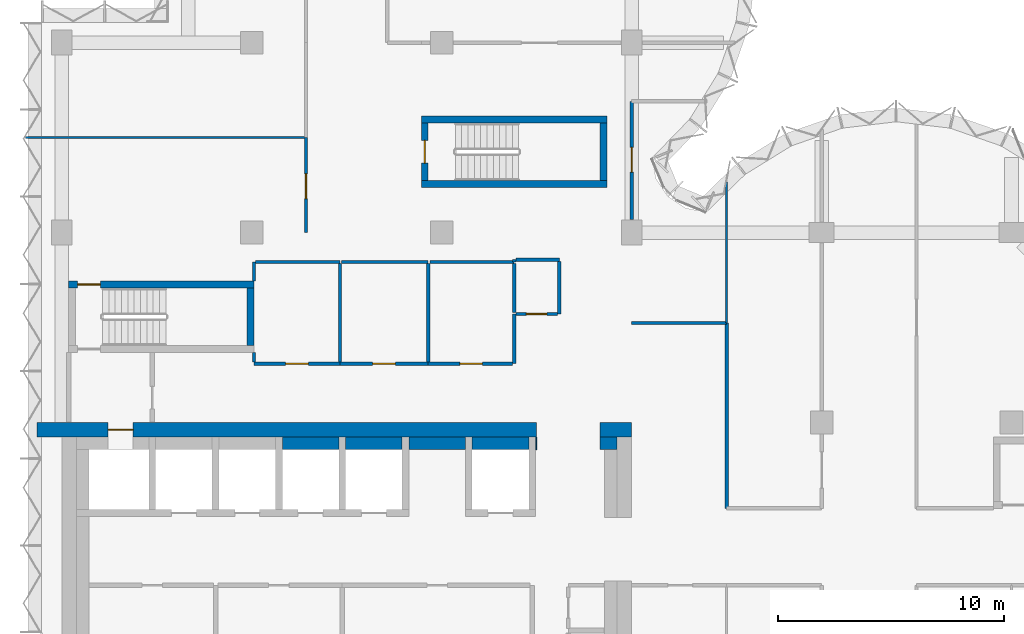
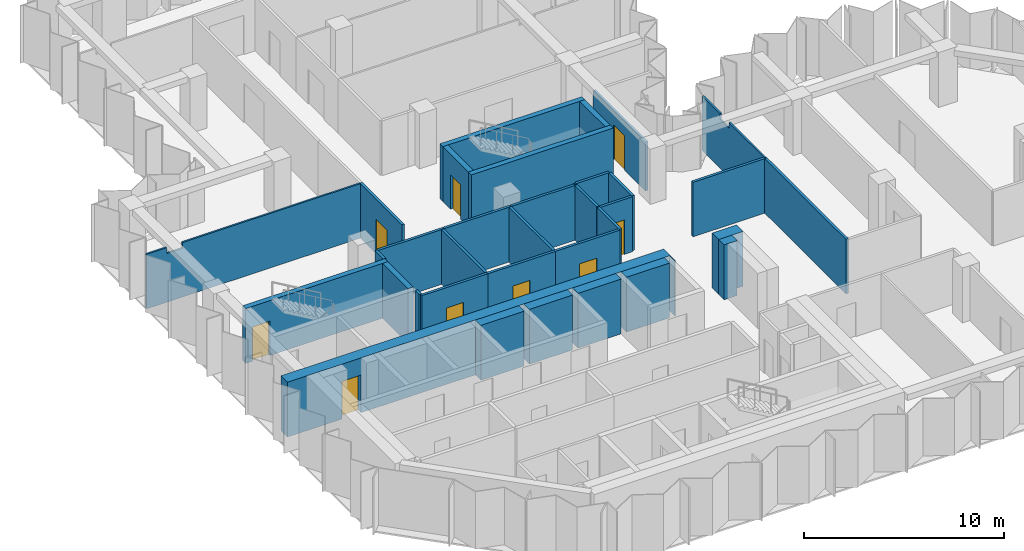
# One storey, part 6 of 10: 36 walls, 9 doors, 9 openings.
"""IFC4 building model written with IfcOpenShell, lengths in metres."""

from ifc_helpers import new_model, si_unit, direction, frame, frame_2d, origin, place, context, subcontext, project, spatial, polyline, rectangle, outline, extrude, material, layer, layer_set, type_object, element, fill, save


model = new_model("IFC4")

# Units and contexts
model_context = context("Model", 3, precision=1e-05, world=origin(), true_north=direction((0.0, 1.0)))
body_context = subcontext(model_context, "Body", "Model", "MODEL_VIEW")
ifc_project = project(units=[si_unit("LENGTHUNIT", "METRE"), si_unit("AREAUNIT", "SQUARE_METRE"), si_unit("VOLUMEUNIT", "CUBIC_METRE"), si_unit("PLANEANGLEUNIT", "RADIAN"), si_unit("MASSUNIT", "GRAM", prefix="KILO")], contexts=[model_context])

# Site, building, storey
site_placement = place(None, origin())
site = spatial("IfcSite", under=ifc_project, at=site_placement, CompositionType="ELEMENT")
building_placement = place(site_placement, origin())
building = spatial("IfcBuilding", under=site, at=building_placement, Name="Brevane Broadcast Tower", CompositionType="ELEMENT")
storey_placement = place(building_placement, frame((0.0, 0.0, 199.199951171875)))
storey = spatial("IfcBuildingStorey", under=building, at=storey_placement, Name="L50", CompositionType="ELEMENT", Elevation=199.199951171875)

# Walls
ifc_material_1 = material(Name="Concrete C32/40", Category="concrete")
ifc_layer_1 = layer(ifc_material_1, 0.550048828125)
ifc_layer_set_1 = layer_set([ifc_layer_1], Name="Core chase wall 550 mm")
wall_type_1 = type_object("IfcWallType", Name="Core chase wall 550 mm", PredefinedType="PARTITIONING", material=ifc_layer_set_1)
wall_1_placement = place(storey_placement, frame((23.800048828125, 15.875, 0.0), z_axis=(0.0, 0.0, 1.0), x_axis=(1.0, 0.0, 0.0)))
element("IfcWall", 1, at=wall_1_placement, inside=storey, type_object=wall_type_1, Name="L50 chase wall LN2", PredefinedType="PARTITIONING", context=body_context, shape_type="SweptSolid", body=[
    extrude(rectangle(XDim=0.75, YDim=0.550048828125, at=frame_2d((0.375, 0.0))), origin(), (0.0, 0.0, 1.0), 3.35009765625),
])
for number, where, z_axis, x_axis, name in (
    (2, (9.75, 15.875, 0.0), (0.0, 0.0, 1.0), (1.0, 0.0, 0.0), "L50 chase wall LN1-2-2-2-1"),
    (3, (12.550048828125, 15.875, 0.0), (0.0, 0.0, 1.0), (1.0, 0.0, 0.0), "L50 chase wall LN1-2-2-2-2-1"),
    (4, (15.35009765625, 15.875, 0.0), (0.0, 0.0, 1.0), (1.0, 0.0, 0.0), "L50 chase wall LN1-2-2-2-2-2-1"),
    (5, (18.14990234375, 15.875, 0.0), (0.0, 0.0, 1.0), (1.0, 0.0, 0.0), "L50 chase wall LN1-2-2-2-2-2-2-1"),
):
    element("IfcWall", number, at=place(storey_placement, frame(where, z_axis=z_axis, x_axis=x_axis)), inside=storey, type_object=wall_type_1, Name=name, PredefinedType="PARTITIONING", context=body_context, shape_type="SweptSolid", body=[
        extrude(rectangle(XDim=2.5, YDim=0.550048828125, at=frame_2d((1.25, 0.0))), origin(), (0.0, 0.0, 1.0), 3.35009765625),
    ])
wall_2_placement = place(storey_placement, frame((20.949951171875, 15.875, 0.0), z_axis=(0.0, 0.0, 1.0), x_axis=(1.0, 0.0, 0.0)))
element("IfcWall", 6, at=wall_2_placement, inside=storey, type_object=wall_type_1, Name="L50 chase wall LN1-2-2-2-2-2-2-2", PredefinedType="PARTITIONING", context=body_context, shape_type="SweptSolid", body=[
    extrude(rectangle(XDim=0.050048828125, YDim=0.550048828125, at=frame_2d((0.02490234375, 0.0))), origin(), (0.0, 0.0, 1.0), 3.35009765625),
])

# Wall, opening, door
ifc_material_2 = material(Name="Gypsum board on steel studs", Category="steel")
ifc_layer_2 = layer(ifc_material_2, 0.14990234375)
ifc_layer_set_2 = layer_set([ifc_layer_2], Name="Core fire partition 150 mm")
wall_type_2 = type_object("IfcWallType", Name="Core fire partition 150 mm", PredefinedType="PARTITIONING", material=ifc_layer_set_2)
wall_3_placement = place(storey_placement, frame((12.300048828125, 19.39990234375, 0.0), z_axis=(0.0, 0.0, 1.0), x_axis=(-1.0, 0.0, 0.0)))
wall_3 = element("IfcWall", 7, at=wall_3_placement, inside=storey, type_object=wall_type_2, Name="L50 partition wall P22", PredefinedType="PARTITIONING", context=body_context, shape_type="SweptSolid", body=[
    extrude(rectangle(XDim=3.800048828125, YDim=0.14990234375, at=frame_2d((1.89990234375, 0.0))), origin(), (0.0, 0.0, 1.0), 3.35009765625),
])
opening_1_placement = place(wall_3_placement, frame((1.39990234375, 0.0, 0.0)))
opening_1 = element("IfcOpeningElement", 8, at=opening_1_placement, cuts=wall_3, Name="Opening L50-K24", PredefinedType="OPENING", context=body_context, shape_type="SweptSolid", body=[
    extrude(rectangle(XDim=1.0, YDim=2.10009765625, at=frame_2d((0.5, 1.050048828125))), frame((0.0, 0.0849609375, 0.0), z_axis=(0.0, -1.0, 0.0), x_axis=(1.0, 0.0, 0.0)), (0.0, 0.0, 1.0), 0.169921875),
])
ifc_material_3 = material(Name="Steel", Category="steel")
door_type_1 = type_object("IfcDoorType", Name="Service room door 1000 x 2100", OperationType="SINGLE_SWING_LEFT", PredefinedType="DOOR", material=ifc_material_3)
door_1_placement = place(opening_1_placement, origin())
door_1 = element("IfcDoor", 9, at=door_1_placement, inside=storey, type_object=door_type_1, Name="Door L50-K24", OperationType="SINGLE_SWING_LEFT", OverallHeight=2.10009765625, OverallWidth=1.0, PredefinedType="DOOR", context=body_context, shape_type="SweptSolid", body=[
    extrude(rectangle(XDim=1.0, YDim=2.10009765625, at=frame_2d((0.5, 1.050048828125))), frame((0.0, 0.02490234375, 0.0), z_axis=(0.0, -1.0, 0.0), x_axis=(1.0, 0.0, 0.0)), (0.0, 0.0, 1.0), 0.050048828125),
])
fill(opening_1, door_1)

# Walls
wall_4_placement = place(storey_placement, frame((8.5, 19.47509765625, 0.0), z_axis=(0.0, 0.0, 1.0), x_axis=(0.0, 1.0, 0.0)))
element("IfcWall", 10, at=wall_4_placement, inside=storey, type_object=wall_type_2, Name="L50 partition wall P23", PredefinedType="PARTITIONING", context=body_context, shape_type="SweptSolid", body=[
    extrude(rectangle(XDim=0.412841796875, YDim=0.14990234375, at=frame_2d((0.20654296875, 0.0))), origin(), (0.0, 0.0, 1.0), 3.35009765625),
])
wall_5_placement = place(storey_placement, frame((8.5, 23.06201171875, 0.0), z_axis=(0.0, 0.0, 1.0), x_axis=(0.0, 1.0, 0.0)))
element("IfcWall", 11, at=wall_5_placement, inside=storey, type_object=wall_type_2, Name="L50 partition wall P24", PredefinedType="PARTITIONING", context=body_context, shape_type="SweptSolid", body=[
    extrude(rectangle(XDim=0.837890625, YDim=0.14990234375, at=frame_2d((0.4189453125, 0.0))), origin(), (0.0, 0.0, 1.0), 3.35009765625),
])
wall_6_placement = place(storey_placement, frame((8.574951171875, 23.89990234375, 0.0), z_axis=(0.0, 0.0, 1.0), x_axis=(1.0, 0.0, 0.0)))
element("IfcWall", 12, at=wall_6_placement, inside=storey, type_object=wall_type_2, Name="L50 partition wall P25", PredefinedType="PARTITIONING", context=body_context, shape_type="SweptSolid", body=[
    extrude(rectangle(XDim=3.72509765625, YDim=0.14990234375, at=frame_2d((1.862548828125, 0.0))), origin(), (0.0, 0.0, 1.0), 3.35009765625),
])

# Wall, opening, door
wall_7_placement = place(storey_placement, frame((16.199951171875, 19.39990234375, 0.0), z_axis=(0.0, 0.0, 1.0), x_axis=(-1.0, 0.0, 0.0)))
wall_7 = element("IfcWall", 13, at=wall_7_placement, inside=storey, type_object=wall_type_2, Name="L50 partition wall P26", PredefinedType="PARTITIONING", context=body_context, shape_type="SweptSolid", body=[
    extrude(rectangle(XDim=3.89990234375, YDim=0.14990234375, at=frame_2d((1.949951171875, 0.0))), origin(), (0.0, 0.0, 1.0), 3.35009765625),
])
opening_2_placement = place(wall_7_placement, frame((1.449951171875, 0.0, 0.0)))
opening_2 = element("IfcOpeningElement", 14, at=opening_2_placement, cuts=wall_7, Name="Opening L50-K25", PredefinedType="OPENING", context=body_context, shape_type="SweptSolid", body=[
    extrude(rectangle(XDim=1.0, YDim=2.10009765625, at=frame_2d((0.5, 1.050048828125))), frame((0.0, 0.0849609375, 0.0), z_axis=(0.0, -1.0, 0.0), x_axis=(1.0, 0.0, 0.0)), (0.0, 0.0, 1.0), 0.169921875),
])
door_2_placement = place(opening_2_placement, origin())
door_2 = element("IfcDoor", 15, at=door_2_placement, inside=storey, type_object=door_type_1, Name="Door L50-K25", OperationType="SINGLE_SWING_RIGHT", OverallHeight=2.10009765625, OverallWidth=1.0, PredefinedType="DOOR", context=body_context, shape_type="SweptSolid", body=[
    extrude(rectangle(XDim=1.0, YDim=2.10009765625, at=frame_2d((0.5, 1.050048828125))), frame((0.0, 0.02490234375, 0.0), z_axis=(0.0, -1.0, 0.0), x_axis=(1.0, 0.0, 0.0)), (0.0, 0.0, 1.0), 0.050048828125),
])
fill(opening_2, door_2)

# Walls
wall_8_placement = place(storey_placement, frame((12.300048828125, 23.824951171875, 0.0), z_axis=(0.0, 0.0, 1.0), x_axis=(0.0, -1.0, 0.0)))
element("IfcWall", 16, at=wall_8_placement, inside=storey, type_object=wall_type_2, Name="L50 partition wall P27", PredefinedType="PARTITIONING", context=body_context, shape_type="SweptSolid", body=[
    extrude(rectangle(XDim=4.349853515625, YDim=0.14990234375, at=frame_2d((2.1748046875, 0.0))), origin(), (0.0, 0.0, 1.0), 3.35009765625),
])
wall_9_placement = place(storey_placement, frame((12.375, 23.89990234375, 0.0), z_axis=(0.0, 0.0, 1.0), x_axis=(1.0, 0.0, 0.0)))
element("IfcWall", 17, at=wall_9_placement, inside=storey, type_object=wall_type_2, Name="L50 partition wall P28", PredefinedType="PARTITIONING", context=body_context, shape_type="SweptSolid", body=[
    extrude(rectangle(XDim=3.824951171875, YDim=0.14990234375, at=frame_2d((1.91259765625, 0.0))), origin(), (0.0, 0.0, 1.0), 3.35009765625),
])
wall_10_placement = place(storey_placement, frame((20.0, 21.60009765625, 0.0), z_axis=(0.0, 0.0, 1.0), x_axis=(0.0, -1.0, 0.0)))
element("IfcWall", 18, at=wall_10_placement, inside=storey, type_object=wall_type_2, Name="L50 partition wall P29", PredefinedType="PARTITIONING", context=body_context, shape_type="SweptSolid", body=[
    extrude(rectangle(XDim=2.2001953125, YDim=0.14990234375, at=frame_2d((1.10009765625, 0.0))), origin(), (0.0, 0.0, 1.0), 3.35009765625),
])

# Wall, opening, door
wall_11_placement = place(storey_placement, frame((19.925048828125, 19.39990234375, 0.0), z_axis=(0.0, 0.0, 1.0), x_axis=(-1.0, 0.0, 0.0)))
wall_11 = element("IfcWall", 19, at=wall_11_placement, inside=storey, type_object=wall_type_2, Name="L50 partition wall P30", PredefinedType="PARTITIONING", context=body_context, shape_type="SweptSolid", body=[
    extrude(rectangle(XDim=3.72509765625, YDim=0.14990234375, at=frame_2d((1.862548828125, 0.0))), origin(), (0.0, 0.0, 1.0), 3.35009765625),
])
opening_3_placement = place(wall_11_placement, frame((1.324951171875, 0.0, 0.0)))
opening_3 = element("IfcOpeningElement", 20, at=opening_3_placement, cuts=wall_11, Name="Opening L50-K26", PredefinedType="OPENING", context=body_context, shape_type="SweptSolid", body=[
    extrude(rectangle(XDim=1.0, YDim=2.10009765625, at=frame_2d((0.5, 1.050048828125))), frame((0.0, 0.0849609375, 0.0), z_axis=(0.0, -1.0, 0.0), x_axis=(1.0, 0.0, 0.0)), (0.0, 0.0, 1.0), 0.169921875),
])
door_3_placement = place(opening_3_placement, origin())
door_3 = element("IfcDoor", 21, at=door_3_placement, inside=storey, type_object=door_type_1, Name="Door L50-K26", OperationType="SINGLE_SWING_LEFT", OverallHeight=2.10009765625, OverallWidth=1.0, PredefinedType="DOOR", context=body_context, shape_type="SweptSolid", body=[
    extrude(rectangle(XDim=1.0, YDim=2.10009765625, at=frame_2d((0.5, 1.050048828125))), frame((0.0, 0.02490234375, 0.0), z_axis=(0.0, -1.0, 0.0), x_axis=(1.0, 0.0, 0.0)), (0.0, 0.0, 1.0), 0.050048828125),
])
fill(opening_3, door_3)

# Walls
wall_12_placement = place(storey_placement, frame((16.199951171875, 23.824951171875, 0.0), z_axis=(0.0, 0.0, 1.0), x_axis=(0.0, -1.0, 0.0)))
element("IfcWall", 22, at=wall_12_placement, inside=storey, type_object=wall_type_2, Name="L50 partition wall P31", PredefinedType="PARTITIONING", context=body_context, shape_type="SweptSolid", body=[
    extrude(rectangle(XDim=4.349853515625, YDim=0.14990234375, at=frame_2d((2.1748046875, 0.0))), origin(), (0.0, 0.0, 1.0), 3.35009765625),
])
wall_13_placement = place(storey_placement, frame((16.27490234375, 23.89990234375, 0.0), z_axis=(0.0, 0.0, 1.0), x_axis=(1.0, 0.0, 0.0)))
element("IfcWall", 23, at=wall_13_placement, inside=storey, type_object=wall_type_2, Name="L50 partition wall P32", PredefinedType="PARTITIONING", context=body_context, shape_type="SweptSolid", body=[
    extrude(rectangle(XDim=3.72509765625, YDim=0.14990234375, at=frame_2d((1.862548828125, 0.0))), origin(), (0.0, 0.0, 1.0), 3.35009765625),
])
wall_14_placement = place(storey_placement, frame((20.0, 23.89990234375, 0.0), z_axis=(0.0, 0.0, 1.0), x_axis=(0.0, 1.0, 0.0)))
element("IfcWall", 24, at=wall_14_placement, inside=storey, type_object=wall_type_2, Name="L50 partition wall P33", PredefinedType="PARTITIONING", context=body_context, shape_type="SweptSolid", body=[
    extrude(rectangle(XDim=0.10009765625, YDim=0.14990234375, at=frame_2d((0.050048828125, 0.0))), origin(), (0.0, 0.0, 1.0), 3.35009765625),
])
wall_15_placement = place(storey_placement, frame((20.074951171875, 24.0, 0.0), z_axis=(0.0, 0.0, 1.0), x_axis=(1.0, 0.0, 0.0)))
element("IfcWall", 25, at=wall_15_placement, inside=storey, type_object=wall_type_2, Name="L50 partition wall P34", PredefinedType="PARTITIONING", context=body_context, shape_type="SweptSolid", body=[
    extrude(rectangle(XDim=1.925048828125, YDim=0.14990234375, at=frame_2d((0.96240234375, 0.0))), origin(), (0.0, 0.0, 1.0), 3.35009765625),
])
wall_16_placement = place(storey_placement, frame((22.0, 23.925048828125, 0.0), z_axis=(0.0, 0.0, 1.0), x_axis=(0.0, -1.0, 0.0)))
element("IfcWall", 26, at=wall_16_placement, inside=storey, type_object=wall_type_2, Name="L50 partition wall P35", PredefinedType="PARTITIONING", context=body_context, shape_type="SweptSolid", body=[
    extrude(rectangle(XDim=2.324951171875, YDim=0.14990234375, at=frame_2d((1.16259765625, 0.0))), origin(), (0.0, 0.0, 1.0), 3.35009765625),
])

# Wall, opening, door
wall_17_placement = place(storey_placement, frame((21.925048828125, 21.60009765625, 0.0), z_axis=(0.0, 0.0, 1.0), x_axis=(-1.0, 0.0, 0.0)))
wall_17 = element("IfcWall", 27, at=wall_17_placement, inside=storey, type_object=wall_type_2, Name="L50 partition wall P36", PredefinedType="PARTITIONING", context=body_context, shape_type="SweptSolid", body=[
    extrude(rectangle(XDim=1.85009765625, YDim=0.14990234375, at=frame_2d((0.925048828125, 0.0))), origin(), (0.0, 0.0, 1.0), 3.35009765625),
])
opening_4_placement = place(wall_17_placement, frame((0.47509765625, 0.0, 0.0)))
opening_4 = element("IfcOpeningElement", 28, at=opening_4_placement, cuts=wall_17, Name="Opening L50-K23", PredefinedType="OPENING", context=body_context, shape_type="SweptSolid", body=[
    extrude(rectangle(XDim=0.89990234375, YDim=2.10009765625, at=frame_2d((0.449951171875, 1.050048828125))), frame((0.0, 0.0849609375, 0.0), z_axis=(0.0, -1.0, 0.0), x_axis=(1.0, 0.0, 0.0)), (0.0, 0.0, 1.0), 0.169921875),
])
ifc_material_4 = material(Name="Timber", Category="wood")
door_type_2 = type_object("IfcDoorType", Name="Toilet door 900 x 2100", OperationType="SINGLE_SWING_LEFT", PredefinedType="DOOR", material=ifc_material_4)
door_4_placement = place(opening_4_placement, origin())
door_4 = element("IfcDoor", 29, at=door_4_placement, inside=storey, type_object=door_type_2, Name="Door L50-K23", OperationType="SINGLE_SWING_RIGHT", OverallHeight=2.10009765625, OverallWidth=0.89990234375, PredefinedType="DOOR", context=body_context, shape_type="SweptSolid", body=[
    extrude(rectangle(XDim=0.89990234375, YDim=2.10009765625, at=frame_2d((0.449951171875, 1.050048828125))), frame((0.0, 0.02490234375, 0.0), z_axis=(0.0, -1.0, 0.0), x_axis=(1.0, 0.0, 0.0)), (0.0, 0.0, 1.0), 0.050048828125),
])
fill(opening_4, door_4)

# Wall
wall_18_placement = place(storey_placement, frame((20.0, 21.675048828125, 0.0), z_axis=(0.0, 0.0, 1.0), x_axis=(0.0, 1.0, 0.0)))
element("IfcWall", 30, at=wall_18_placement, inside=storey, type_object=wall_type_2, Name="L50 partition wall P37", PredefinedType="PARTITIONING", context=body_context, shape_type="SweptSolid", body=[
    extrude(rectangle(XDim=2.14990234375, YDim=0.14990234375, at=frame_2d((1.074951171875, 0.0))), origin(), (0.0, 0.0, 1.0), 3.35009765625),
])

# Wall, opening, door
ifc_material_5 = material(Name="Concrete C60/75", Category="concrete")
ifc_layer_3 = layer(ifc_material_5, 0.300048828125)
ifc_layer_set_3 = layer_set([ifc_layer_3], Name="Core wall 300 mm C60/75")
wall_type_3 = type_object("IfcWallType", Name="Core wall 300 mm C60/75", PredefinedType="SHEAR", material=ifc_layer_set_3)
wall_19_placement = place(storey_placement, frame((0.300048828125, 22.89990234375, 0.0), z_axis=(0.0, 0.0, 1.0), x_axis=(1.0, 0.0, 0.0)))
wall_19 = element("IfcWall", 31, at=wall_19_placement, inside=storey, type_object=wall_type_3, Name="L50 stair wall ST-1-N", PredefinedType="SHEAR", context=body_context, shape_type="SweptSolid", body=[
    extrude(rectangle(XDim=8.199951171875, YDim=0.300048828125, at=frame_2d((4.10009765625, 0.0))), origin(), (0.0, 0.0, 1.0), 3.35009765625),
])
opening_5_placement = place(wall_19_placement, frame((0.39990234375, 0.0, 0.0)))
opening_5 = element("IfcOpeningElement", 32, at=opening_5_placement, cuts=wall_19, Name="Opening L50-K09", PredefinedType="OPENING", context=body_context, shape_type="SweptSolid", body=[
    extrude(rectangle(XDim=1.0, YDim=2.10009765625, at=frame_2d((0.5, 1.050048828125))), frame((0.0, 0.159912109375, 0.0), z_axis=(0.0, -1.0, 0.0), x_axis=(1.0, 0.0, 0.0)), (0.0, 0.0, 1.0), 0.320068359375),
])
door_type_3 = type_object("IfcDoorType", Name="Stair door 1000 x 2100", OperationType="SINGLE_SWING_LEFT", PredefinedType="DOOR", material=ifc_material_3)
door_5_placement = place(opening_5_placement, origin())
door_5 = element("IfcDoor", 33, at=door_5_placement, inside=storey, type_object=door_type_3, Name="Door L50-K09", OperationType="SINGLE_SWING_RIGHT", OverallHeight=2.10009765625, OverallWidth=1.0, PredefinedType="DOOR", context=body_context, shape_type="SweptSolid", body=[
    extrude(rectangle(XDim=1.0, YDim=2.10009765625, at=frame_2d((0.5, 1.050048828125))), frame((0.0, 0.02490234375, 0.0), z_axis=(0.0, -1.0, 0.0), x_axis=(1.0, 0.0, 0.0)), (0.0, 0.0, 1.0), 0.050048828125),
])
fill(opening_5, door_5)

# Walls
wall_20_placement = place(storey_placement, frame((8.35009765625, 20.199951171875, 0.0), z_axis=(0.0, 0.0, 1.0), x_axis=(0.0, 1.0, 0.0)))
element("IfcWall", 34, at=wall_20_placement, inside=storey, type_object=wall_type_3, Name="L50 stair wall ST-1-E", PredefinedType="SHEAR", context=body_context, shape_type="SweptSolid", body=[
    extrude(rectangle(XDim=2.550048828125, YDim=0.300048828125, at=frame_2d((1.27490234375, 0.0))), origin(), (0.0, 0.0, 1.0), 3.35009765625),
])
for number, where, z_axis, x_axis, name in (
    (35, (15.89990234375, 27.35009765625, 0.0), (0.0, 0.0, 1.0), (1.0, 0.0, 0.0), "L50 stair wall ST-3-S"),
    (36, (15.89990234375, 30.199951171875, 0.0), (0.0, 0.0, 1.0), (1.0, 0.0, 0.0), "L50 stair wall ST-3-N"),
):
    element("IfcWall", number, at=place(storey_placement, frame(where, z_axis=z_axis, x_axis=x_axis)), inside=storey, type_object=wall_type_3, Name=name, PredefinedType="SHEAR", context=body_context, shape_type="SweptSolid", body=[
        extrude(rectangle(XDim=8.2001953125, YDim=0.300048828125, at=frame_2d((4.10009765625, 0.0))), origin(), (0.0, 0.0, 1.0), 3.35009765625),
    ])

# Wall, opening, door
wall_21_placement = place(storey_placement, frame((16.050048828125, 27.5, 0.0), z_axis=(0.0, 0.0, 1.0), x_axis=(0.0, 1.0, 0.0)))
wall_21 = element("IfcWall", 37, at=wall_21_placement, inside=storey, type_object=wall_type_3, Name="L50 stair wall ST-3-W", PredefinedType="SHEAR", context=body_context, shape_type="SweptSolid", body=[
    extrude(rectangle(XDim=2.550048828125, YDim=0.300048828125, at=frame_2d((1.27490234375, 0.0))), origin(), (0.0, 0.0, 1.0), 3.35009765625),
])
opening_6_placement = place(wall_21_placement, frame((0.77490234375, 0.0, 0.0)))
opening_6 = element("IfcOpeningElement", 38, at=opening_6_placement, cuts=wall_21, Name="Opening L50-K12", PredefinedType="OPENING", context=body_context, shape_type="SweptSolid", body=[
    extrude(rectangle(XDim=1.0, YDim=2.10009765625, at=frame_2d((0.5, 1.050048828125))), frame((0.0, 0.159912109375, 0.0), z_axis=(0.0, -1.0, 0.0), x_axis=(1.0, 0.0, 0.0)), (0.0, 0.0, 1.0), 0.320068359375),
])
door_6_placement = place(opening_6_placement, origin())
door_6 = element("IfcDoor", 39, at=door_6_placement, inside=storey, type_object=door_type_3, Name="Door L50-K12", OperationType="SINGLE_SWING_LEFT", OverallHeight=2.10009765625, OverallWidth=1.0, PredefinedType="DOOR", context=body_context, shape_type="SweptSolid", body=[
    extrude(rectangle(XDim=1.0, YDim=2.10009765625, at=frame_2d((0.5, 1.050048828125))), frame((0.0, 0.02490234375, 0.0), z_axis=(0.0, -1.0, 0.0), x_axis=(1.0, 0.0, 0.0)), (0.0, 0.0, 1.0), 0.050048828125),
])
fill(opening_6, door_6)

# Wall
wall_22_placement = place(storey_placement, frame((23.949951171875, 27.5, 0.0), z_axis=(0.0, 0.0, 1.0), x_axis=(0.0, 1.0, 0.0)))
element("IfcWall", 40, at=wall_22_placement, inside=storey, type_object=wall_type_3, Name="L50 stair wall ST-3-E", PredefinedType="SHEAR", context=body_context, shape_type="SweptSolid", body=[
    extrude(rectangle(XDim=2.550048828125, YDim=0.300048828125, at=frame_2d((1.27490234375, 0.0))), origin(), (0.0, 0.0, 1.0), 3.35009765625),
])

# Wall, opening, door
ifc_layer_4 = layer(ifc_material_5, 0.64990234375)
ifc_layer_set_4 = layer_set([ifc_layer_4], Name="Core wall 650 mm C60/75")
wall_type_4 = type_object("IfcWallType", Name="Core wall 650 mm C60/75", PredefinedType="SHEAR", material=ifc_layer_set_4)
wall_23_placement = place(storey_placement, frame((-1.10009765625, 16.47509765625, 0.0), z_axis=(0.0, 0.0, 1.0), x_axis=(1.0, 0.0, 0.0)))
wall_23 = element("IfcWall", 41, at=wall_23_placement, inside=storey, type_object=wall_type_4, Name="L50 outer wall WN1", PredefinedType="SHEAR", context=body_context, shape_type="SweptSolid", body=[
    extrude(rectangle(XDim=22.10009765625, YDim=0.64990234375, at=frame_2d((11.050048828125, 0.0))), origin(), (0.0, 0.0, 1.0), 3.35009765625),
])
opening_7_placement = place(wall_23_placement, frame((3.14990234375, 0.0, 0.0)))
opening_7 = element("IfcOpeningElement", 42, at=opening_7_placement, cuts=wall_23, Name="Opening LD", PredefinedType="OPENING", context=body_context, shape_type="SweptSolid", body=[
    extrude(rectangle(XDim=1.10009765625, YDim=2.300048828125, at=frame_2d((0.550048828125, 1.14990234375))), frame((0.0, 0.3349609375, 0.0), z_axis=(0.0, -1.0, 0.0), x_axis=(1.0, 0.0, 0.0)), (0.0, 0.0, 1.0), 0.669921875),
])
ifc_material_6 = material(Name="Stainless steel", Category="steel")
door_type_4 = type_object("IfcDoorType", Name="Lift landing door", OperationType="SLIDING_TO_LEFT", PredefinedType="DOOR", material=ifc_material_6)
door_7_placement = place(opening_7_placement, origin())
door_7 = element("IfcDoor", 43, at=door_7_placement, inside=storey, type_object=door_type_4, Name="Landing door FF1 L50", OperationType="SLIDING_TO_LEFT", OverallHeight=2.300048828125, OverallWidth=1.10009765625, PredefinedType="DOOR", context=body_context, shape_type="SweptSolid", body=[
    extrude(rectangle(XDim=1.10009765625, YDim=2.300048828125, at=frame_2d((0.550048828125, 1.14990234375))), frame((0.0, 0.02490234375, 0.0), z_axis=(0.0, -1.0, 0.0), x_axis=(1.0, 0.0, 0.0)), (0.0, 0.0, 1.0), 0.050048828125),
])
fill(opening_7, door_7)

# Walls
wall_24_placement = place(storey_placement, frame((23.800048828125, 16.47509765625, 0.0), z_axis=(0.0, 0.0, 1.0), x_axis=(1.0, 0.0, 0.0)))
element("IfcWall", 44, at=wall_24_placement, inside=storey, type_object=wall_type_4, Name="L50 outer wall WN2", PredefinedType="SHEAR", context=body_context, shape_type="SweptSolid", body=[
    extrude(rectangle(XDim=1.39990234375, YDim=0.64990234375, at=frame_2d((0.699951171875, 0.0))), origin(), (0.0, 0.0, 1.0), 3.35009765625),
])
ifc_material_7 = material(Name="Gypsum board partition")
ifc_layer_5 = layer(ifc_material_7, 0.10009765625)
ifc_layer_set_5 = layer_set([ifc_layer_5], Name="PARTITION 100 STUD")
wall_type_5 = type_object("IfcWallType", Name="PARTITION 100 STUD", PredefinedType="PARTITIONING", material=ifc_layer_set_5)
wall_25_placement = place(storey_placement, frame((29.39990234375, 27.428955078125, 0.0), z_axis=(0.0, 0.0, 1.0), x_axis=(0.0, -1.0, 0.0)))
element("IfcWall", 45, at=wall_25_placement, inside=storey, type_object=wall_type_5, Name="Partition G15-004", PredefinedType="PARTITIONING", context=body_context, shape_type="SweptSolid", body=[
    extrude(outline(polyline([(0.0, 0.0), (6.22900390625, 0.0), (6.22900390625, 3.330078125), (2.678955078125, 3.330078125), (2.677001953125, 2.97998046875), (1.781005859375, 2.97998046875), (1.779052734375, 3.330078125), (0.154052734375, 3.330078125), (0.0, 3.330078125), (0.0, 0.0)])), frame((0.0, 0.050048828125, 0.0), z_axis=(0.0, -1.0, 0.0), x_axis=(1.0, 0.0, 0.0)), (0.0, 0.0, 1.0), 0.10009765625),
])
wall_26_placement = place(storey_placement, frame((-1.609130859375, 29.39990234375, 0.0), z_axis=(0.0, 0.0, 1.0), x_axis=(1.0, 0.0, 0.0)))
element("IfcWall", 46, at=wall_26_placement, inside=storey, type_object=wall_type_5, Name="Partition G15-040", PredefinedType="PARTITIONING", context=body_context, shape_type="SweptSolid", body=[
    extrude(outline(polyline([(0.0, 0.0), (12.4091796875, 0.0), (12.4091796875, 3.330078125), (2.05908203125, 3.330078125), (2.05712890625, 2.97998046875), (1.1611328125, 2.97998046875), (1.1591796875, 3.330078125), (0.509033203125, 3.330078125), (0.0, 3.330078125), (0.0, 0.0)])), frame((0.0, 0.050048828125, 0.0), z_axis=(0.0, -1.0, 0.0), x_axis=(1.0, 0.0, 0.0)), (0.0, 0.0, 1.0), 0.10009765625),
])
ifc_layer_6 = layer(ifc_material_7, 0.14990234375)
ifc_layer_set_6 = layer_set([ifc_layer_6], Name="PARTITION 150 EI 60")
wall_type_6 = type_object("IfcWallType", Name="PARTITION 150 EI 60", PredefinedType="PARTITIONING", material=ifc_layer_set_6)
wall_27_placement = place(storey_placement, frame((25.199951171875, 21.199951171875, 0.0), z_axis=(0.0, 0.0, 1.0), x_axis=(1.0, 0.0, 0.0)))
element("IfcWall", 47, at=wall_27_placement, inside=storey, type_object=wall_type_6, Name="Partition G15-001", PredefinedType="PARTITIONING", context=body_context, shape_type="SweptSolid", body=[
    extrude(rectangle(XDim=4.199951171875, YDim=0.14990234375, at=frame_2d((2.10009765625, 0.0))), origin(), (0.0, 0.0, 1.0), 3.330078125),
])
wall_28_placement = place(storey_placement, frame((29.39990234375, 21.199951171875, 0.0), z_axis=(0.0, 0.0, 1.0), x_axis=(0.0, -1.0, 0.0)))
element("IfcWall", 48, at=wall_28_placement, inside=storey, type_object=wall_type_6, Name="Partition G15-003", PredefinedType="PARTITIONING", context=body_context, shape_type="SweptSolid", body=[
    extrude(rectangle(XDim=8.199951171875, YDim=0.14990234375, at=frame_2d((4.10009765625, 0.0))), origin(), (0.0, 0.0, 1.0), 3.330078125),
])

# Wall, opening, door
wall_29_placement = place(storey_placement, frame((25.199951171875, 31.0, 0.0), z_axis=(0.0, 0.0, 1.0), x_axis=(0.0, -1.0, 0.0)))
wall_29 = element("IfcWall", 49, at=wall_29_placement, inside=storey, type_object=wall_type_6, Name="Partition G15-005", PredefinedType="PARTITIONING", context=body_context, shape_type="SweptSolid", body=[
    extrude(outline(polyline([(0.0, 0.0), (5.22998046875, 0.0), (5.22998046875, 2.97998046875), (0.0, 2.97998046875), (0.0, 0.0)])), frame((0.0, 0.074951171875, 0.0), z_axis=(0.0, -1.0, 0.0), x_axis=(1.0, 0.0, 0.0)), (0.0, 0.0, 1.0), 0.14990234375),
])
opening_8_placement = place(wall_29_placement, frame((2.030029296875, 0.0, 0.0)))
opening_8 = element("IfcOpeningElement", 50, at=opening_8_placement, cuts=wall_29, Name="Opening D24-001", PredefinedType="OPENING", context=body_context, shape_type="SweptSolid", body=[
    extrude(rectangle(XDim=1.10009765625, YDim=2.10009765625, at=frame_2d((0.550048828125, 1.050048828125))), frame((0.0, 0.0849609375, 0.0), z_axis=(0.0, -1.0, 0.0), x_axis=(1.0, 0.0, 0.0)), (0.0, 0.0, 1.0), 0.169921875),
])
ifc_material_8 = material(Name="Fire-rated timber door leaf", Category="wood")
door_type_5 = type_object("IfcDoorType", Name="DOOR SINGLE 1100 FD30S", OperationType="SINGLE_SWING_LEFT", PredefinedType="DOOR", material=ifc_material_8)
door_8_placement = place(opening_8_placement, origin())
door_8 = element("IfcDoor", 51, at=door_8_placement, inside=storey, type_object=door_type_5, Name="Door D24-001", OperationType="SINGLE_SWING_RIGHT", OverallHeight=2.10009765625, OverallWidth=1.10009765625, PredefinedType="DOOR", context=body_context, shape_type="SweptSolid", body=[
    extrude(rectangle(XDim=1.10009765625, YDim=2.10009765625, at=frame_2d((0.550048828125, 1.050048828125))), frame((0.0, 0.02490234375, 0.0), z_axis=(0.0, -1.0, 0.0), x_axis=(1.0, 0.0, 0.0)), (0.0, 0.0, 1.0), 0.050048828125),
])
fill(opening_8, door_8)

wall_30_placement = place(storey_placement, frame((10.800048828125, 25.199951171875, 0.0), z_axis=(0.0, 0.0, 1.0), x_axis=(0.0, 1.0, 0.0)))
wall_30 = element("IfcWall", 52, at=wall_30_placement, inside=storey, type_object=wall_type_6, Name="Partition G15-027", PredefinedType="PARTITIONING", context=body_context, shape_type="SweptSolid", body=[
    extrude(rectangle(XDim=4.199951171875, YDim=0.14990234375, at=frame_2d((2.10009765625, 0.0))), origin(), (0.0, 0.0, 1.0), 3.330078125),
])
opening_9_placement = place(wall_30_placement, frame((1.5, 0.0, 0.0)))
opening_9 = element("IfcOpeningElement", 53, at=opening_9_placement, cuts=wall_30, Name="Opening D24-010", PredefinedType="OPENING", context=body_context, shape_type="SweptSolid", body=[
    extrude(rectangle(XDim=1.10009765625, YDim=2.10009765625, at=frame_2d((0.550048828125, 1.050048828125))), frame((0.0, 0.0849609375, 0.0), z_axis=(0.0, -1.0, 0.0), x_axis=(1.0, 0.0, 0.0)), (0.0, 0.0, 1.0), 0.169921875),
])
door_9_placement = place(opening_9_placement, origin())
door_9 = element("IfcDoor", 54, at=door_9_placement, inside=storey, type_object=door_type_5, Name="Door D24-010", OperationType="SINGLE_SWING_LEFT", OverallHeight=2.10009765625, OverallWidth=1.10009765625, PredefinedType="DOOR", context=body_context, shape_type="SweptSolid", body=[
    extrude(rectangle(XDim=1.10009765625, YDim=2.10009765625, at=frame_2d((0.550048828125, 1.050048828125))), frame((0.0, 0.02490234375, 0.0), z_axis=(0.0, -1.0, 0.0), x_axis=(1.0, 0.0, 0.0)), (0.0, 0.0, 1.0), 0.050048828125),
])
fill(opening_9, door_9)

save(model, "model.ifc")
